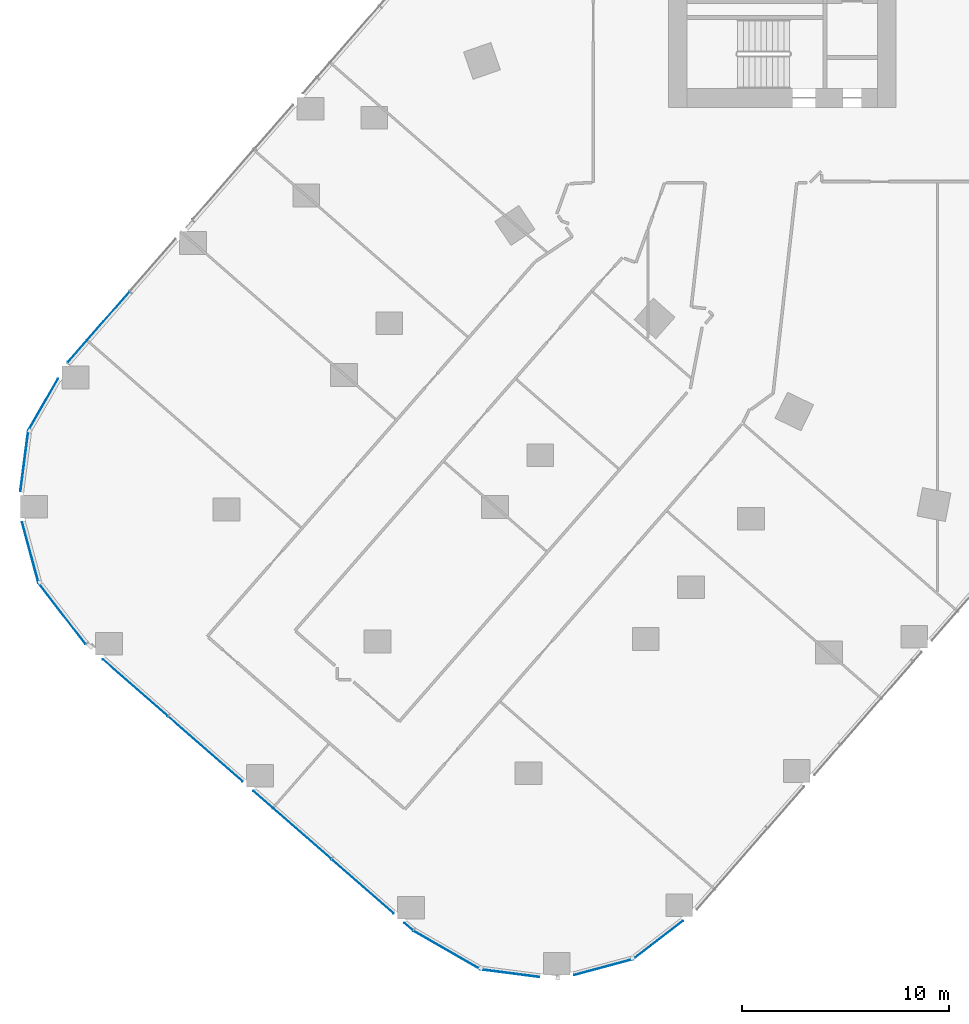
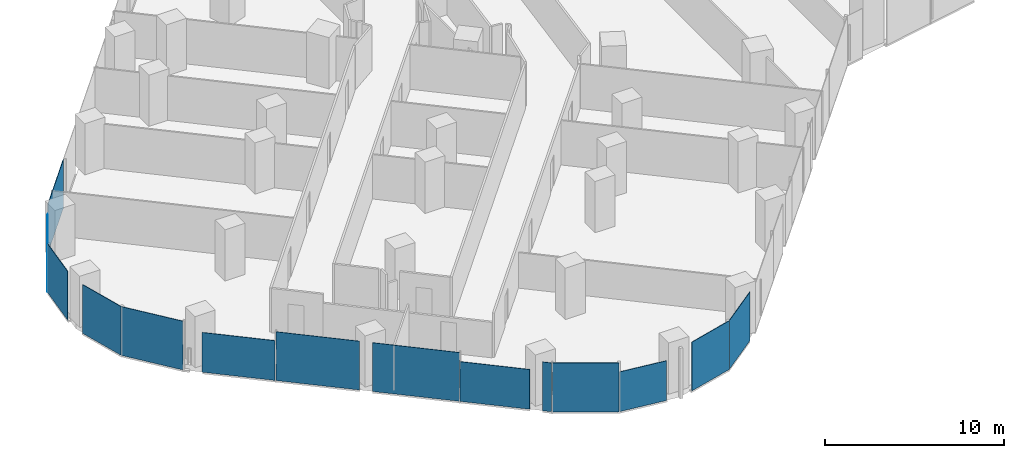
# One storey, part 18 of 38: 14 plates, 10 elements without a shape of their own.
"""IFC4 building model written with IfcOpenShell, lengths in metres."""

import ifcopenshell
import ifcopenshell.guid

model = None  # the IFC model being written
_history = None  # IfcOwnerHistory: only IFC2X3 demands one
_inside = {}  # id of a spatial element -> (the spatial element, [elements in it])
_under = {}  # id of a project, library or spatial element -> (it, [spatial elements below it])
_declared = {}  # id of a project -> (the project, [libraries it declares])
_typed = {}  # id of a type object -> (the type object, [elements of that type])
_made_of = {}  # id of a material, layer set ... -> (it, [elements and type objects made of it])


def new_model(schema):
    """Start an empty IFC model of exactly this schema.

    Asked for "IFC4X3", IfcOpenShell would pick the latest addendum, in which some entities
    have other attributes; the version numbers below select the first issue.
    IFC2X3 requires an IfcOwnerHistory on every rooted entity: one is made here for all.
    """
    global model, _history
    if schema == "IFC4X3":
        model = ifcopenshell.file(schema_version=(4, 3, 0, 0))
    else:
        model = ifcopenshell.file(schema=schema)
    _inside.clear()
    _under.clear()
    _declared.clear()
    _typed.clear()
    _made_of.clear()
    _history = None
    if model.schema == "IFC2X3":
        org = make("IfcOrganization", Name="unknown")
        user = make(
            "IfcPersonAndOrganization",
            ThePerson=make("IfcPerson", FamilyName="unknown"),
            TheOrganization=org,
        )
        app = make(
            "IfcApplication",
            ApplicationDeveloper=org,
            Version="unknown",
            ApplicationFullName="unknown",
            ApplicationIdentifier="unknown",
        )
        _history = make(
            "IfcOwnerHistory",
            OwningUser=user,
            OwningApplication=app,
            ChangeAction="ADDED",
            CreationDate=0,
        )
    return model


def make(cls, **values):
    """One entity of the class cls with the attributes given. An attribute that is None is left unset."""
    return model.create_entity(
        cls, **{name: value for name, value in values.items() if value is not None}
    )


def rooted(cls, **values):
    """An entity with a GlobalId (a new one), such as an element, a storey or a relation."""
    return make(cls, GlobalId=ifcopenshell.guid.new(), OwnerHistory=_history, **values)


def si_unit(unit_type, name, prefix=None):
    """IfcSIUnit, for example si_unit("LENGTHUNIT", "METRE", prefix="MILLI")."""
    return make("IfcSIUnit", UnitType=unit_type, Prefix=prefix, Name=name)


def assignment(units):
    """IfcUnitAssignment: the units of a project."""
    return None if units is None else make("IfcUnitAssignment", Units=units)


def point(xyz):
    """IfcCartesianPoint."""
    return None if xyz is None else make("IfcCartesianPoint", Coordinates=xyz)


def direction(xyz):
    """IfcDirection."""
    return None if xyz is None else make("IfcDirection", DirectionRatios=xyz)


def frame(location, z_axis=None, x_axis=None):
    """IfcAxis2Placement3D, a coordinate frame: its origin and axes. An axis left out is left unset."""
    return make(
        "IfcAxis2Placement3D",
        Location=point(location),
        Axis=direction(z_axis),
        RefDirection=direction(x_axis),
    )


def frame_2d(location, x_axis=None):
    """IfcAxis2Placement2D, a coordinate frame in the plane: its origin and x axis."""
    return make(
        "IfcAxis2Placement2D", Location=point(location), RefDirection=direction(x_axis)
    )


def origin():
    """The frame at (0, 0, 0) with its axes left unset."""
    return frame((0.0, 0.0, 0.0))


def origin_2d():
    """The frame at (0, 0) in the plane with its x axis left unset."""
    return frame_2d((0.0, 0.0))


def place(relative_to, where):
    """IfcLocalPlacement: puts the frame where relative to a parent placement (None: the world)."""
    return make(
        "IfcLocalPlacement", PlacementRelTo=relative_to, RelativePlacement=where
    )


def context(
    kind, dimensions, precision=None, world=None, true_north=None, identifier=None
):
    """IfcGeometricRepresentationContext, for example the 3D "Model" context."""
    return make(
        "IfcGeometricRepresentationContext",
        ContextIdentifier=identifier,
        ContextType=kind,
        CoordinateSpaceDimension=dimensions,
        Precision=precision,
        WorldCoordinateSystem=world,
        TrueNorth=true_north,
    )


def subcontext(parent, identifier, kind, view, scale=None):
    """IfcGeometricRepresentationSubContext, for example "Body" below "Model"."""
    return make(
        "IfcGeometricRepresentationSubContext",
        ContextIdentifier=identifier,
        ContextType=kind,
        ParentContext=parent,
        TargetScale=scale,
        TargetView=view,
    )


def project(units=None, contexts=None):
    """IfcProject with its units and contexts."""
    return rooted(
        "IfcProject",
        Name="project",
        RepresentationContexts=contexts,
        UnitsInContext=assignment(units),
    )


def spatial(cls, under=None, at=None, **own):
    """A site, building, storey or space (cls), placed at a placement, below another one or the project."""
    s = rooted(cls, ObjectPlacement=at, **own)
    if under is not None:
        _under.setdefault(under.id(), (under, []))[1].append(s)
    return s


def profile(cls, at=None, kind="AREA", **sizes):
    """A parametric profile (cls). Its sizes go by their IFC names, for example OverallWidth=200.0."""
    return make(cls, ProfileType=kind, Position=at, **sizes)


def rectangle(**sizes):
    """IfcRectangleProfileDef."""
    return profile("IfcRectangleProfileDef", **sizes)


def extrude(swept, where, along, depth):
    """IfcExtrudedAreaSolid: the profile swept, set in the frame where, extruded along a direction by depth."""
    return make(
        "IfcExtrudedAreaSolid",
        SweptArea=swept,
        Position=where,
        ExtrudedDirection=direction(along),
        Depth=depth,
    )


def shape(context_of_items, identifier, shape_type, items):
    """IfcShapeRepresentation: the items that make up one representation, for example the "Body"."""
    return make(
        "IfcShapeRepresentation",
        ContextOfItems=context_of_items,
        RepresentationIdentifier=identifier,
        RepresentationType=shape_type,
        Items=items,
    )


def material(Name=None, Category=None):
    """IfcMaterial."""
    return make("IfcMaterial", Name=Name, Category=Category)


def layer(
    of_material, thickness, ventilated=None, Name=None, Category=None, Priority=None
):
    """IfcMaterialLayer: one layer of a wall or slab, of a material (None: an air gap)."""
    return make(
        "IfcMaterialLayer",
        Material=of_material,
        LayerThickness=thickness,
        IsVentilated=ventilated,
        Name=Name,
        Category=Category,
        Priority=Priority,
    )


def layer_set(layers, Name=None):
    """IfcMaterialLayerSet."""
    return make("IfcMaterialLayerSet", MaterialLayers=layers, LayerSetName=Name)


def made_of(thing, what):
    """Note that an element or type object is made of a material, layer set ...; save() writes the relation."""
    if what is not None:
        _made_of.setdefault(what.id(), (what, []))[1].append(thing)
    return thing


def type_object(cls, material=None, **own):
    """A type object (cls), such as IfcWallType, which elements share."""
    return made_of(rooted(cls, **own), material)


def element(
    cls,
    number,
    at=None,
    inside=None,
    cuts=None,
    type_object=None,
    material=None,
    context=None,
    identifier="Body",
    shape_type=None,
    held_by="IfcProductDefinitionShape",
    body=None,
    shapes=None,
    **own,
):
    """One element of the class cls, such as IfcWall. Its Tag is "e" and its number.

    at: its placement. inside: the storey or other place that contains it. cuts: it is an
    opening in that element (IfcRelVoidsElement). A single representation is given by context,
    identifier, shape_type and body (its items); several are given by shapes. held_by: the class
    of the entity that holds the representations. save() writes the other relations.
    """
    e = rooted(cls, Tag="e%d" % number, ObjectPlacement=at, **own)
    if body is not None:
        shapes = [shape(context, identifier, shape_type, body)]
    if shapes is not None:
        e.Representation = make(held_by, Representations=shapes)
    if inside is not None:
        _inside.setdefault(inside.id(), (inside, []))[1].append(e)
    if cuts is not None:
        rooted(
            "IfcRelVoidsElement", RelatingBuildingElement=cuts, RelatedOpeningElement=e
        )
    if type_object is not None:
        _typed.setdefault(type_object.id(), (type_object, []))[1].append(e)
    return made_of(e, material)


def aggregate(whole, parts):
    """IfcRelAggregates: a whole, such as a stair, and the parts it consists of."""
    return rooted("IfcRelAggregates", RelatingObject=whole, RelatedObjects=parts)


def save(model, path):
    """Write the relations noted so far, then the file.

    IfcRelAggregates (storeys below a building ...), IfcRelContainedInSpatialStructure (elements
    in a storey), IfcRelDefinesByType, IfcRelAssociatesMaterial and IfcRelDeclares: one each for
    every whole, place, type object, material and project.
    """
    for whole, parts in _under.values():
        aggregate(whole, parts)
    for where, things in _inside.values():
        rooted(
            "IfcRelContainedInSpatialStructure",
            RelatedElements=things,
            RelatingStructure=where,
        )
    for kind, things in _typed.values():
        rooted("IfcRelDefinesByType", RelatedObjects=things, RelatingType=kind)
    for what, things in _made_of.values():
        rooted("IfcRelAssociatesMaterial", RelatedObjects=things, RelatingMaterial=what)
    for by, libraries in _declared.values():
        rooted("IfcRelDeclares", RelatingContext=by, RelatedDefinitions=libraries)
    model.write(path)


model = new_model("IFC4")

# Units and contexts
model_context = context("Model", 3, precision=1e-05, world=origin(), true_north=direction((0.0, 1.0)))
body_context = subcontext(model_context, "Body", "Model", "MODEL_VIEW")
ifc_project = project(units=[si_unit("LENGTHUNIT", "METRE"), si_unit("AREAUNIT", "SQUARE_METRE"), si_unit("VOLUMEUNIT", "CUBIC_METRE"), si_unit("PLANEANGLEUNIT", "RADIAN"), si_unit("MASSUNIT", "GRAM", prefix="KILO")], contexts=[model_context])

# Site, building, storey
site_placement = place(None, origin())
site = spatial("IfcSite", under=ifc_project, at=site_placement, CompositionType="ELEMENT")
building_placement = place(site_placement, origin())
building = spatial("IfcBuilding", under=site, at=building_placement, Name="Orlundy Tower", CompositionType="ELEMENT")
storey_placement = place(building_placement, frame((0.0, 0.0, 72.800048828125)))
storey = spatial("IfcBuildingStorey", under=building, at=storey_placement, Name="L17", CompositionType="ELEMENT", Elevation=72.800048828125)

# Curtain wall, plate
ifc_material_1 = material(Name="Aluminium bronze anodised", Category="aluminium")
curtain_wall_type = type_object("IfcCurtainWallType", Name="CW1 wall", PredefinedType="NOTDEFINED", material=ifc_material_1)
curtain_wall_1_placement = place(storey_placement, origin())
curtain_wall_1 = element("IfcCurtainWall", 1, at=curtain_wall_1_placement, inside=storey, type_object=curtain_wall_type, Name="CW1 run 03", PredefinedType="NOTDEFINED")
ifc_material_2 = material(Name="Tinted glass", Category="glass")
ifc_layer = layer(ifc_material_2, 0.031982421875)
ifc_layer_set = layer_set([ifc_layer], Name="CW1 glass panel 32")
plate_type = type_object("IfcPlateType", Name="CW1 glass panel 32", PredefinedType="CURTAIN_PANEL", material=ifc_layer_set)
plate_1_placement = place(storey_placement, frame((-19.51318359375, -52.286865234375, -0.280029296875), z_axis=(0.0, 0.0, 1.0), x_axis=(-0.79239325108, -0.610010602893, 0.0)))
plate_1 = element("IfcPlate", 2, at=plate_1_placement, type_object=plate_type, Name="CW1 panel", PredefinedType="CURTAIN_PANEL", context=body_context, shape_type="SweptSolid", body=[
    extrude(rectangle(XDim=3.045654296875, YDim=0.031982421875, at=origin_2d()), origin(), (0.0, 0.0, 1.0), 3.330078125),
])
aggregate(curtain_wall_1, [plate_1])

curtain_wall_2_placement = place(storey_placement, origin())
curtain_wall_2 = element("IfcCurtainWall", 3, at=curtain_wall_2_placement, inside=storey, type_object=curtain_wall_type, Name="CW1 run 04", PredefinedType="NOTDEFINED")
plate_2_placement = place(storey_placement, frame((-22.141357421875, -53.598876953125, -0.280029296875), z_axis=(0.0, 0.0, 1.0), x_axis=(-0.965587098839, -0.26007990033, 0.0)))
plate_2 = element("IfcPlate", 4, at=plate_2_placement, type_object=plate_type, Name="CW1 panel", PredefinedType="CURTAIN_PANEL", context=body_context, shape_type="SweptSolid", body=[
    extrude(rectangle(XDim=2.944580078125, YDim=0.031982421875, at=origin_2d()), origin(), (0.0, 0.0, 1.0), 3.330078125),
])
aggregate(curtain_wall_2, [plate_2])

curtain_wall_3_placement = place(storey_placement, origin())
curtain_wall_3 = element("IfcCurtainWall", 5, at=curtain_wall_3_placement, inside=storey, type_object=curtain_wall_type, Name="CW1 run 05", PredefinedType="NOTDEFINED")
plate_3_placement = place(storey_placement, frame((-26.682861328125, -53.89501953125, -0.280029296875), z_axis=(0.0, 0.0, 1.0), x_axis=(-0.991651478458, 0.128947063839, 0.0)))
plate_3 = element("IfcPlate", 6, at=plate_3_placement, type_object=plate_type, Name="CW1 panel", PredefinedType="CURTAIN_PANEL", context=body_context, shape_type="SweptSolid", body=[
    extrude(rectangle(XDim=2.863525390625, YDim=0.031982421875, at=origin_2d()), origin(), (0.0, 0.0, 1.0), 2.7138671875),
])
aggregate(curtain_wall_3, [plate_3])

curtain_wall_4_placement = place(storey_placement, origin())
curtain_wall_4 = element("IfcCurtainWall", 7, at=curtain_wall_4_placement, inside=storey, type_object=curtain_wall_type, Name="CW1 run 06", PredefinedType="NOTDEFINED")
plate_4_placement = place(storey_placement, frame((-29.71923828125, -52.780029296875, -0.280029296875), z_axis=(0.0, 0.0, 1.0), x_axis=(-0.866728479616, 0.498780254844, 0.0)))
plate_4 = element("IfcPlate", 8, at=plate_4_placement, type_object=plate_type, Name="CW1 panel", PredefinedType="CURTAIN_PANEL", context=body_context, shape_type="SweptSolid", body=[
    extrude(rectangle(XDim=3.730712890625, YDim=0.031982421875, at=origin_2d()), origin(), (0.0, 0.0, 1.0), 3.330078125),
])
aggregate(curtain_wall_4, [plate_4])

# Curtain wall, plates
curtain_wall_5_placement = place(storey_placement, origin())
curtain_wall_5 = element("IfcCurtainWall", 9, at=curtain_wall_5_placement, inside=storey, type_object=curtain_wall_type, Name="CW1 run 07", PredefinedType="NOTDEFINED")
plate_5_placement = place(storey_placement, frame((-31.57421875, -51.647705078125, -0.280029296875), z_axis=(0.0, 0.0, 1.0), x_axis=(-0.752789052597, 0.658261834143, 0.0)))
plate_5 = element("IfcPlate", 10, at=plate_5_placement, type_object=plate_type, Name="CW1 panel", PredefinedType="CURTAIN_PANEL", context=body_context, shape_type="SweptSolid", body=[
    extrude(rectangle(XDim=0.52490234375, YDim=0.031982421875, at=origin_2d()), origin(), (0.0, 0.0, 1.0), 3.330078125),
])
plate_6_placement = place(storey_placement, frame((-33.81103515625, -49.69189453125, -0.280029296875), z_axis=(0.0, 0.0, 1.0), x_axis=(-0.752789052597, 0.658261834143, 0.0)))
plate_6 = element("IfcPlate", 11, at=plate_6_placement, type_object=plate_type, Name="CW1 panel", PredefinedType="CURTAIN_PANEL", context=body_context, shape_type="SweptSolid", body=[
    extrude(rectangle(XDim=3.964111328125, YDim=0.031982421875, at=origin_2d()), origin(), (0.0, 0.0, 1.0), 2.7138671875),
])
plate_7_placement = place(storey_placement, frame((-37.207275390625, -46.72216796875, -0.280029296875), z_axis=(0.0, 0.0, 1.0), x_axis=(-0.752789052597, 0.658261834143, 0.0)))
plate_7 = element("IfcPlate", 12, at=plate_7_placement, type_object=plate_type, Name="CW1 panel", PredefinedType="CURTAIN_PANEL", context=body_context, shape_type="SweptSolid", body=[
    extrude(rectangle(XDim=4.958984375, YDim=0.031982421875, at=origin_2d()), origin(), (0.0, 0.0, 1.0), 3.330078125),
])
plate_8_placement = place(storey_placement, frame((-41.4140625, -43.04345703125, -0.280029296875), z_axis=(0.0, 0.0, 1.0), x_axis=(-0.752789052597, 0.658261834143, 0.0)))
plate_8 = element("IfcPlate", 13, at=plate_8_placement, type_object=plate_type, Name="CW1 panel", PredefinedType="CURTAIN_PANEL", context=body_context, shape_type="SweptSolid", body=[
    extrude(rectangle(XDim=4.763916015625, YDim=0.031982421875, at=origin_2d()), origin(), (0.0, 0.0, 1.0), 3.330078125),
])
plate_9_placement = place(storey_placement, frame((-44.810302734375, -40.073974609375, -0.280029296875), z_axis=(0.0, 0.0, 1.0), x_axis=(-0.752789052597, 0.658261834143, 0.0)))
plate_9 = element("IfcPlate", 14, at=plate_9_placement, type_object=plate_type, Name="CW1 panel", PredefinedType="CURTAIN_PANEL", context=body_context, shape_type="SweptSolid", body=[
    extrude(rectangle(XDim=4.1591796875, YDim=0.031982421875, at=origin_2d()), origin(), (0.0, 0.0, 1.0), 2.7138671875),
])
aggregate(curtain_wall_5, [plate_5, plate_6, plate_7, plate_8, plate_9])

# Curtain wall, plate
curtain_wall_6_placement = place(storey_placement, origin())
curtain_wall_6 = element("IfcCurtainWall", 15, at=curtain_wall_6_placement, inside=storey, type_object=curtain_wall_type, Name="CW1 run 08", PredefinedType="NOTDEFINED")
plate_10_placement = place(storey_placement, frame((-48.34326171875, -36.49462890625, -0.280029296875), z_axis=(0.0, 0.0, 1.0), x_axis=(-0.609880211285, 0.792493613781, 0.0)))
plate_10 = element("IfcPlate", 16, at=plate_10_placement, type_object=plate_type, Name="CW1 panel", PredefinedType="CURTAIN_PANEL", context=body_context, shape_type="SweptSolid", body=[
    extrude(rectangle(XDim=3.73095703125, YDim=0.031982421875, at=origin_2d()), origin(), (0.0, 0.0, 1.0), 3.330078125),
])
aggregate(curtain_wall_6, [plate_10])

curtain_wall_7_placement = place(storey_placement, origin())
curtain_wall_7 = element("IfcCurtainWall", 17, at=curtain_wall_7_placement, inside=storey, type_object=curtain_wall_type, Name="CW1 run 09", PredefinedType="NOTDEFINED")
plate_11_placement = place(storey_placement, frame((-49.877685546875, -33.544677734375, -0.280029296875), z_axis=(0.0, 0.0, 1.0), x_axis=(-0.260331417091, 0.965519317919, 0.0)))
plate_11 = element("IfcPlate", 18, at=plate_11_placement, type_object=plate_type, Name="CW1 panel", PredefinedType="CURTAIN_PANEL", context=body_context, shape_type="SweptSolid", body=[
    extrude(rectangle(XDim=3.04833984375, YDim=0.031982421875, at=origin_2d()), origin(), (0.0, 0.0, 1.0), 3.330078125),
])
aggregate(curtain_wall_7, [plate_11])

curtain_wall_8_placement = place(storey_placement, origin())
curtain_wall_8 = element("IfcCurtainWall", 19, at=curtain_wall_8_placement, inside=storey, type_object=curtain_wall_type, Name="CW1 run 010", PredefinedType="NOTDEFINED")
plate_12_placement = place(storey_placement, frame((-50.1669921875, -29.103759765625, -0.280029296875), z_axis=(0.0, 0.0, 1.0), x_axis=(0.129246900831, 0.991612443763, 0.0)))
plate_12 = element("IfcPlate", 20, at=plate_12_placement, type_object=plate_type, Name="CW1 panel", PredefinedType="CURTAIN_PANEL", context=body_context, shape_type="SweptSolid", body=[
    extrude(rectangle(XDim=2.96337890625, YDim=0.031982421875, at=origin_2d()), origin(), (0.0, 0.0, 1.0), 3.330078125),
])
aggregate(curtain_wall_8, [plate_12])

curtain_wall_9_placement = place(storey_placement, origin())
curtain_wall_9 = element("IfcCurtainWall", 21, at=curtain_wall_9_placement, inside=storey, type_object=curtain_wall_type, Name="CW1 run 011", PredefinedType="NOTDEFINED")
plate_13_placement = place(storey_placement, frame((-49.25732421875, -26.3857421875, -0.280029296875), z_axis=(0.0, 0.0, 1.0), x_axis=(0.498577567738, 0.866845089361, 0.0)))
plate_13 = element("IfcPlate", 22, at=plate_13_placement, type_object=plate_type, Name="CW1 panel", PredefinedType="CURTAIN_PANEL", context=body_context, shape_type="SweptSolid", body=[
    extrude(rectangle(XDim=2.881103515625, YDim=0.031982421875, at=origin_2d()), origin(), (0.0, 0.0, 1.0), 3.330078125),
])
aggregate(curtain_wall_9, [plate_13])

curtain_wall_10_placement = place(storey_placement, origin())
curtain_wall_10 = element("IfcCurtainWall", 23, at=curtain_wall_10_placement, inside=storey, type_object=curtain_wall_type, Name="CW1 run 012", PredefinedType="NOTDEFINED")
plate_14_placement = place(storey_placement, frame((-46.571044921875, -22.627197265625, -0.280029296875), z_axis=(0.0, 0.0, 1.0), x_axis=(0.658273153933, 0.752779154075, 0.0)))
plate_14 = element("IfcPlate", 24, at=plate_14_placement, type_object=plate_type, Name="CW1 panel", PredefinedType="CURTAIN_PANEL", context=body_context, shape_type="SweptSolid", body=[
    extrude(rectangle(XDim=4.50537109375, YDim=0.031982421875, at=origin_2d()), origin(), (0.0, 0.0, 1.0), 3.330078125),
])
aggregate(curtain_wall_10, [plate_14])

save(model, "model.ifc")
